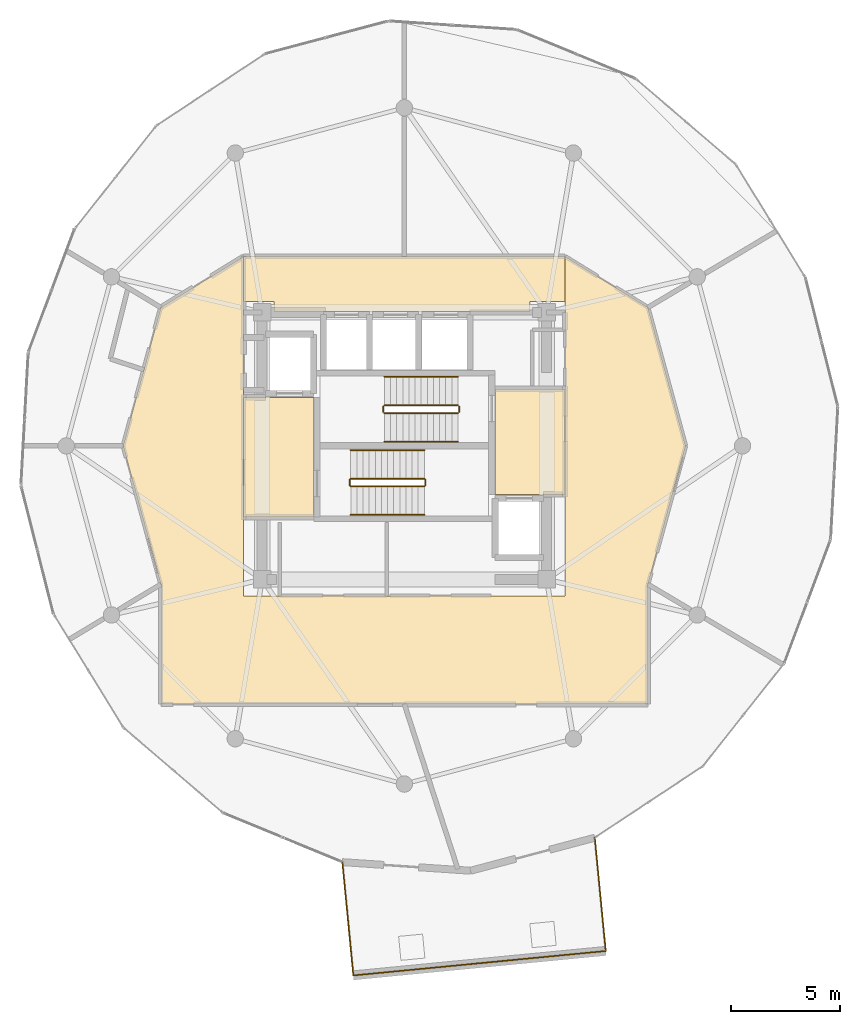
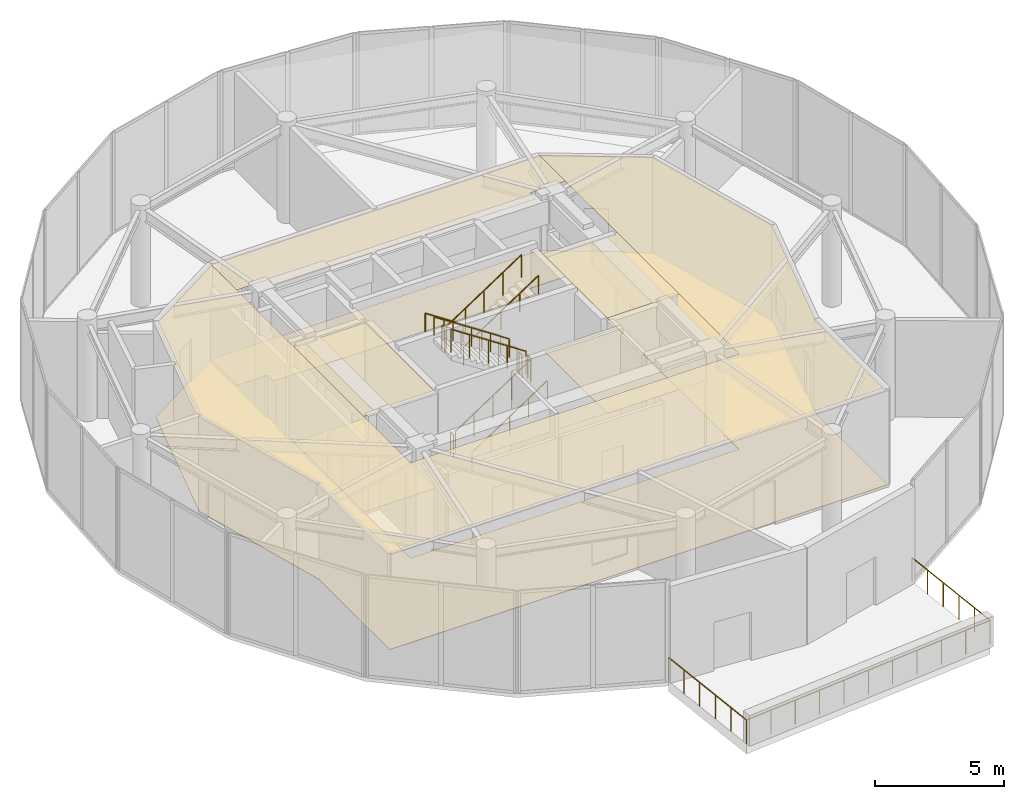
# One storey, part 20 of 21: 13 railings, 8 coverings.
"""IFC4 building model written with IfcOpenShell, lengths in metres."""

from ifc_helpers import new_model, si_unit, direction, frame, origin, origin_2d, place, context, subcontext, project, spatial, polyline, circle, outline, extrude, material, layer, layer_set, type_object, element, save


model = new_model("IFC4")

# Units and contexts
model_context = context("Model", 3, precision=1e-05, world=origin(), true_north=direction((0.0, 1.0)))
body_context = subcontext(model_context, "Body", "Model", "MODEL_VIEW")
ifc_project = project(units=[si_unit("LENGTHUNIT", "METRE"), si_unit("AREAUNIT", "SQUARE_METRE"), si_unit("VOLUMEUNIT", "CUBIC_METRE"), si_unit("PLANEANGLEUNIT", "RADIAN"), si_unit("MASSUNIT", "GRAM", prefix="KILO")], contexts=[model_context])

# Site, building, storey
site_placement = place(None, origin())
site = spatial("IfcSite", under=ifc_project, at=site_placement, CompositionType="ELEMENT")
building_placement = place(site_placement, origin())
building = spatial("IfcBuilding", under=site, at=building_placement, Name="Solvirekh Grand Hotel", CompositionType="ELEMENT")
storey_placement = place(building_placement, frame((0.0, 0.0, 262.0)))
storey = spatial("IfcBuildingStorey", under=building, at=storey_placement, Name="L68", CompositionType="ELEMENT", Elevation=262.0)

# Coverings
ifc_material_1 = material(Name="Acoustic Mineral Ceiling Tile")
ifc_layer_1 = layer(ifc_material_1, 0.02490234375)
ifc_layer_set_1 = layer_set([ifc_layer_1], Name="Acoustic Mineral Ceiling Tile")
covering_type_1 = type_object("IfcCoveringType", Name="Cov_Ceiling_Acoustic", PredefinedType="CEILING", material=ifc_layer_set_1)
covering_1_placement = place(storey_placement, frame((0.0, 0.0, 4.52001953125)))
element("IfcCovering", 1, at=covering_1_placement, inside=storey, type_object=covering_type_1, Name="L68 Firefighting Lobby West acoustic ceiling", PredefinedType="CEILING", context=body_context, shape_type="SweptSolid", body=[
    extrude(outline(polyline([(-7.35009765625, -3.25), (-4.1298828125, -3.25), (-4.1298828125, 2.2099609375), (-7.35009765625, 2.2099609375), (-7.35009765625, -3.25)])), origin(), (0.0, 0.0, 1.0), 0.01806640625),
])
covering_2_placement = place(storey_placement, frame((0.0, 0.0, 4.52001953125)))
element("IfcCovering", 2, at=covering_2_placement, inside=storey, type_object=covering_type_1, Name="L68 Firefighting Lobby East acoustic ceiling", PredefinedType="CEILING", context=body_context, shape_type="SweptSolid", body=[
    extrude(outline(polyline([(4.1298828125, -2.2099609375), (7.35009765625, -2.2099609375), (7.35009765625, 2.60009765625), (4.1298828125, 2.60009765625), (4.1298828125, -2.2099609375)])), origin(), (0.0, 0.0, 1.0), 0.01806640625),
])
covering_3_placement = place(storey_placement, frame((0.0, 0.0, 4.52001953125)))
element("IfcCovering", 3, at=covering_3_placement, inside=storey, type_object=covering_type_1, Name="L68 L68 High-Zone Passenger Lift Lobby acoustic ceiling", PredefinedType="CEILING", context=body_context, shape_type="SweptSolid", body=[
    extrude(outline(polyline([(-7.35009765625, 6.60009765625), (-5.949951171875, 6.60009765625), (-5.949951171875, 6.139892578125), (5.75, 6.139892578125), (5.75, 6.60009765625), (7.35009765625, 6.60009765625), (7.35009765625, 8.64990234375), (-7.35009765625, 8.64990234375), (-7.35009765625, 6.60009765625)])), origin(), (0.0, 0.0, 1.0), 0.01806640625),
])
covering_4_placement = place(storey_placement, frame((0.0, 0.0, 4.52001953125)))
element("IfcCovering", 4, at=covering_4_placement, inside=storey, type_object=covering_type_1, Name="L68 L68 Open Sky-Gallery Concourse acoustic ceiling", PredefinedType="CEILING", context=body_context, shape_type="SweptSolid", body=[
    extrude(outline(polyline([(-7.35009765625, -6.85009765625), (-7.35009765625, 8.64990234375), (-11.1279296875, 6.324951171875), (-12.85009765625, 0.0), (-11.1279296875, -6.324951171875), (-11.1279296875, -11.800048828125), (0.0, -11.800048828125), (11.1279296875, -11.800048828125), (11.1279296875, -6.324951171875), (12.85009765625, 0.0), (11.1279296875, 6.324951171875), (7.35009765625, 8.64990234375), (7.35009765625, -6.85009765625), (-7.35009765625, -6.85009765625)])), origin(), (0.0, 0.0, 1.0), 0.01806640625),
])
ifc_material_2 = material(Name="Porcelain Stoneware Flooring", Category="masonry")
ifc_layer_2 = layer(ifc_material_2, 0.030029296875)
ifc_layer_set_2 = layer_set([ifc_layer_2], Name="Porcelain Stoneware Flooring")
covering_type_2 = type_object("IfcCoveringType", Name="Cov_Floor_Stone", PredefinedType="FLOORING", material=ifc_layer_set_2)
covering_5_placement = place(storey_placement, origin())
element("IfcCovering", 5, at=covering_5_placement, inside=storey, type_object=covering_type_2, Name="L68 Firefighting Lobby West polished granite flooring", PredefinedType="FLOORING", context=body_context, shape_type="SweptSolid", body=[
    extrude(outline(polyline([(-7.35009765625, -3.25), (-4.1298828125, -3.25), (-4.1298828125, 2.2099609375), (-7.35009765625, 2.2099609375), (-7.35009765625, -3.25)])), origin(), (0.0, 0.0, 1.0), 0.02001953125),
])
covering_6_placement = place(storey_placement, origin())
element("IfcCovering", 6, at=covering_6_placement, inside=storey, type_object=covering_type_2, Name="L68 Firefighting Lobby East polished granite flooring", PredefinedType="FLOORING", context=body_context, shape_type="SweptSolid", body=[
    extrude(outline(polyline([(4.1298828125, -2.2099609375), (7.35009765625, -2.2099609375), (7.35009765625, 2.60009765625), (4.1298828125, 2.60009765625), (4.1298828125, -2.2099609375)])), origin(), (0.0, 0.0, 1.0), 0.02001953125),
])
covering_7_placement = place(storey_placement, origin())
element("IfcCovering", 7, at=covering_7_placement, inside=storey, type_object=covering_type_2, Name="L68 L68 High-Zone Passenger Lift Lobby polished granite flooring", PredefinedType="FLOORING", context=body_context, shape_type="SweptSolid", body=[
    extrude(outline(polyline([(-7.35009765625, 6.60009765625), (-5.949951171875, 6.60009765625), (-5.949951171875, 6.139892578125), (5.75, 6.139892578125), (5.75, 6.60009765625), (7.35009765625, 6.60009765625), (7.35009765625, 8.64990234375), (-7.35009765625, 8.64990234375), (-7.35009765625, 6.60009765625)])), origin(), (0.0, 0.0, 1.0), 0.02001953125),
])
covering_8_placement = place(storey_placement, origin())
element("IfcCovering", 8, at=covering_8_placement, inside=storey, type_object=covering_type_2, Name="L68 L68 Open Sky-Gallery Concourse polished granite flooring", PredefinedType="FLOORING", context=body_context, shape_type="SweptSolid", body=[
    extrude(outline(polyline([(-7.35009765625, -6.85009765625), (-7.35009765625, 8.64990234375), (-11.1279296875, 6.324951171875), (-12.85009765625, 0.0), (-11.1279296875, -6.324951171875), (-11.1279296875, -11.800048828125), (0.0, -11.800048828125), (11.1279296875, -11.800048828125), (11.1279296875, -6.324951171875), (12.85009765625, 0.0), (11.1279296875, 6.324951171875), (7.35009765625, 8.64990234375), (7.35009765625, -6.85009765625), (-7.35009765625, -6.85009765625)])), origin(), (0.0, 0.0, 1.0), 0.02001953125),
])

# Railings
ifc_material_3 = material(Name="Anodized Bronze Aluminium 6063-T6", Category="aluminium")
railing_type_1 = type_object("IfcRailingType", Name="Guard_ExtGlass_1150", PredefinedType="BALUSTRADE", material=ifc_material_3)
railing_1_placement = place(storey_placement, frame((-2.8330078125, -19.01708984375, 0.0)))
element("IfcRailing", 9, at=railing_1_placement, inside=storey, type_object=railing_type_1, Name="L68 cantilevered sky-pool perimeter safety balustrade", PredefinedType="BALUSTRADE", context=body_context, shape_type="SweptSolid", body=[
    extrude(circle(Radius=0.02392578125, at=origin_2d()), frame((0.0, 0.0, 1.1259765625), z_axis=(0.096151643573, -0.995366696971, 0.0), x_axis=(0.995366696971, 0.096151643573, 0.0)), (0.0, 0.0, 1.0), 5.2001953125),
    extrude(circle(Radius=0.02392578125, at=origin_2d()), frame((0.5, -5.176025390625, 1.1259765625), z_axis=(0.995357894767, 0.096242720896, 0.0), x_axis=(-0.096242720896, 0.995357894767, 0.0)), (0.0, 0.0, 1.0), 11.587646484375),
    extrude(circle(Radius=0.02392578125, at=origin_2d()), frame((12.033935546875, -4.060791015625, 1.1259765625), z_axis=(-0.096156137094, 0.99536626289, 0.0), x_axis=(-0.99536626289, -0.096156137094, 0.0)), (0.0, 0.0, 1.0), 5.199951171875),
    extrude(circle(Radius=0.02099609375, at=origin_2d()), origin(), (0.0, 0.0, 1.0), 1.101806640625),
    extrude(circle(Radius=0.02099609375, at=origin_2d()), frame((0.10009765625, -1.03515625, 0.0)), (0.0, 0.0, 1.0), 1.101806640625),
    extrude(circle(Radius=0.02099609375, at=origin_2d()), frame((0.199951171875, -2.0703125, 0.0)), (0.0, 0.0, 1.0), 1.101806640625),
    extrude(circle(Radius=0.02099609375, at=origin_2d()), frame((0.300048828125, -3.105712890625, 0.0)), (0.0, 0.0, 1.0), 1.101806640625),
    extrude(circle(Radius=0.02099609375, at=origin_2d()), frame((0.39990234375, -4.140869140625, 0.0)), (0.0, 0.0, 1.0), 1.101806640625),
    extrude(circle(Radius=0.02099609375, at=origin_2d()), frame((0.5, -5.176025390625, 0.0)), (0.0, 0.0, 1.0), 1.101806640625),
    extrude(circle(Radius=0.02099609375, at=origin_2d()), frame((1.6533203125, -5.064453125, 0.0)), (0.0, 0.0, 1.0), 1.101806640625),
    extrude(circle(Radius=0.02099609375, at=origin_2d()), frame((2.806884765625, -4.952880859375, 0.0)), (0.0, 0.0, 1.0), 1.101806640625),
    extrude(circle(Radius=0.02099609375, at=origin_2d()), frame((3.960205078125, -4.841552734375, 0.0)), (0.0, 0.0, 1.0), 1.101806640625),
    extrude(circle(Radius=0.02099609375, at=origin_2d()), frame((5.113525390625, -4.72998046875, 0.0)), (0.0, 0.0, 1.0), 1.101806640625),
    extrude(circle(Radius=0.02099609375, at=origin_2d()), frame((6.26708984375, -4.618408203125, 0.0)), (0.0, 0.0, 1.0), 1.101806640625),
    extrude(circle(Radius=0.02099609375, at=origin_2d()), frame((7.42041015625, -4.5068359375, 0.0)), (0.0, 0.0, 1.0), 1.101806640625),
    extrude(circle(Radius=0.02099609375, at=origin_2d()), frame((8.57373046875, -4.395263671875, 0.0)), (0.0, 0.0, 1.0), 1.101806640625),
    extrude(circle(Radius=0.02099609375, at=origin_2d()), frame((9.72705078125, -4.283935546875, 0.0)), (0.0, 0.0, 1.0), 1.101806640625),
    extrude(circle(Radius=0.02099609375, at=origin_2d()), frame((10.880615234375, -4.17236328125, 0.0)), (0.0, 0.0, 1.0), 1.101806640625),
    extrude(circle(Radius=0.02099609375, at=origin_2d()), frame((12.033935546875, -4.060791015625, 0.0)), (0.0, 0.0, 1.0), 1.101806640625),
    extrude(circle(Radius=0.02099609375, at=origin_2d()), frame((11.933837890625, -3.025634765625, 0.0)), (0.0, 0.0, 1.0), 1.101806640625),
    extrude(circle(Radius=0.02099609375, at=origin_2d()), frame((11.833984375, -1.990478515625, 0.0)), (0.0, 0.0, 1.0), 1.101806640625),
    extrude(circle(Radius=0.02099609375, at=origin_2d()), frame((11.73388671875, -0.955322265625, 0.0)), (0.0, 0.0, 1.0), 1.101806640625),
    extrude(circle(Radius=0.02099609375, at=origin_2d()), frame((11.634033203125, 0.079833984375, 0.0)), (0.0, 0.0, 1.0), 1.101806640625),
    extrude(circle(Radius=0.02099609375, at=origin_2d()), frame((11.533935546875, 1.114990234375, 0.0)), (0.0, 0.0, 1.0), 1.101806640625),
])
ifc_material_4 = material(Name="Steel S355", Category="steel")
railing_type_2 = type_object("IfcRailingType", Name="Guard_Stair_1100", PredefinedType="GUARDRAIL", material=ifc_material_4)
railing_2_placement = place(storey_placement, frame((-2.449951171875, -1.85009765625, 0.1845703125)))
element("IfcRailing", 10, at=railing_2_placement, inside=storey, type_object=railing_type_2, Name="L68 ST-1 stair guard 1", PredefinedType="GUARDRAIL", context=body_context, shape_type="SweptSolid", body=[
    extrude(circle(Radius=0.02392578125, at=origin_2d()), frame((0.0, 0.0, 1.076171875), z_axis=(0.834858096282, 0.0, 0.550465220583), x_axis=(0.0, 1.0, 0.0)), (0.0, 0.0, 1.0), 4.0244140625),
    extrude(circle(Radius=0.02099609375, at=origin_2d()), origin(), (0.0, 0.0, 1.0), 1.052001953125),
    extrude(circle(Radius=0.02099609375, at=origin_2d()), frame((0.83984375, 0.0, 0.5537109375)), (0.0, 0.0, 1.0), 1.052001953125),
    extrude(circle(Radius=0.02099609375, at=origin_2d()), frame((1.679931640625, 0.0, 1.107666015625)), (0.0, 0.0, 1.0), 1.052001953125),
    extrude(circle(Radius=0.02099609375, at=origin_2d()), frame((2.52001953125, 0.0, 1.66162109375)), (0.0, 0.0, 1.0), 1.052001953125),
    extrude(circle(Radius=0.02099609375, at=origin_2d()), frame((3.35986328125, 0.0, 2.21533203125)), (0.0, 0.0, 1.0), 1.052001953125),
])
railing_3_placement = place(storey_placement, frame((0.9599609375, -1.800048828125, 2.39990234375)))
element("IfcRailing", 11, at=railing_3_placement, inside=storey, type_object=railing_type_2, Name="L68 ST-1 stair guard 2", PredefinedType="GUARDRAIL", context=body_context, shape_type="SweptSolid", body=[
    extrude(circle(Radius=0.02392578125, at=origin_2d()), frame((0.0, 0.0, 1.076171875), z_axis=(0.0, 1.0, 0.0), x_axis=(-1.0, 0.0, 0.0)), (0.0, 0.0, 1.0), 0.25),
    extrude(circle(Radius=0.02099609375, at=origin_2d()), origin(), (0.0, 0.0, 1.0), 1.052001953125),
    extrude(circle(Radius=0.02099609375, at=origin_2d()), frame((0.0, 0.25, 0.0)), (0.0, 0.0, 1.0), 1.052001953125),
])
railing_4_placement = place(storey_placement, frame((0.909912109375, -1.5, 2.584716796875)))
element("IfcRailing", 12, at=railing_4_placement, inside=storey, type_object=railing_type_2, Name="L68 ST-1 stair guard 3", PredefinedType="GUARDRAIL", context=body_context, shape_type="SweptSolid", body=[
    extrude(circle(Radius=0.02392578125, at=origin_2d()), frame((0.0, 0.0, 1.076171875), z_axis=(-0.834858096282, 0.0, 0.550465220583), x_axis=(0.0, -1.0, 0.0)), (0.0, 0.0, 1.0), 4.0244140625),
    extrude(circle(Radius=0.02099609375, at=origin_2d()), origin(), (0.0, 0.0, 1.0), 1.052001953125),
    extrude(circle(Radius=0.02099609375, at=origin_2d()), frame((-0.83984375, 0.0, 0.5537109375)), (0.0, 0.0, 1.0), 1.052001953125),
    extrude(circle(Radius=0.02099609375, at=origin_2d()), frame((-1.679931640625, 0.0, 1.107666015625)), (0.0, 0.0, 1.0), 1.052001953125),
    extrude(circle(Radius=0.02099609375, at=origin_2d()), frame((-2.52001953125, 0.0, 1.66162109375)), (0.0, 0.0, 1.0), 1.052001953125),
    extrude(circle(Radius=0.02099609375, at=origin_2d()), frame((-3.35986328125, 0.0, 2.21533203125)), (0.0, 0.0, 1.0), 1.052001953125),
])
railing_5_placement = place(storey_placement, frame((-2.5, -1.800048828125, 0.0)))
element("IfcRailing", 13, at=railing_5_placement, inside=storey, type_object=railing_type_2, Name="L68 ST-1 stair guard 4", PredefinedType="GUARDRAIL", context=body_context, shape_type="SweptSolid", body=[
    extrude(circle(Radius=0.02392578125, at=origin_2d()), frame((0.0, 0.0, 1.076171875), z_axis=(0.0, 1.0, 0.0), x_axis=(-1.0, 0.0, 0.0)), (0.0, 0.0, 1.0), 0.25),
    extrude(circle(Radius=0.02099609375, at=origin_2d()), origin(), (0.0, 0.0, 1.0), 1.052001953125),
    extrude(circle(Radius=0.02099609375, at=origin_2d()), frame((0.0, 0.25, 0.0)), (0.0, 0.0, 1.0), 1.052001953125),
])
railing_6_placement = place(storey_placement, frame((2.449951171875, 1.85009765625, 0.1845703125)))
element("IfcRailing", 14, at=railing_6_placement, inside=storey, type_object=railing_type_2, Name="L68 ST-2 stair guard 1", PredefinedType="GUARDRAIL", context=body_context, shape_type="SweptSolid", body=[
    extrude(circle(Radius=0.02392578125, at=origin_2d()), frame((0.0, 0.0, 1.076171875), z_axis=(-0.834858096282, 0.0, 0.550465220583), x_axis=(0.0, -1.0, 0.0)), (0.0, 0.0, 1.0), 4.0244140625),
    extrude(circle(Radius=0.02099609375, at=origin_2d()), origin(), (0.0, 0.0, 1.0), 1.052001953125),
    extrude(circle(Radius=0.02099609375, at=origin_2d()), frame((-0.83984375, 0.0, 0.5537109375)), (0.0, 0.0, 1.0), 1.052001953125),
    extrude(circle(Radius=0.02099609375, at=origin_2d()), frame((-1.679931640625, 0.0, 1.107666015625)), (0.0, 0.0, 1.0), 1.052001953125),
    extrude(circle(Radius=0.02099609375, at=origin_2d()), frame((-2.52001953125, 0.0, 1.66162109375)), (0.0, 0.0, 1.0), 1.052001953125),
    extrude(circle(Radius=0.02099609375, at=origin_2d()), frame((-3.35986328125, 0.0, 2.21533203125)), (0.0, 0.0, 1.0), 1.052001953125),
])
railing_7_placement = place(storey_placement, frame((-0.9599609375, 1.800048828125, 2.39990234375)))
element("IfcRailing", 15, at=railing_7_placement, inside=storey, type_object=railing_type_2, Name="L68 ST-2 stair guard 2", PredefinedType="GUARDRAIL", context=body_context, shape_type="SweptSolid", body=[
    extrude(circle(Radius=0.02392578125, at=origin_2d()), frame((0.0, 0.0, 1.076171875), z_axis=(0.0, -1.0, 0.0), x_axis=(1.0, 0.0, 0.0)), (0.0, 0.0, 1.0), 0.25),
    extrude(circle(Radius=0.02099609375, at=origin_2d()), origin(), (0.0, 0.0, 1.0), 1.052001953125),
    extrude(circle(Radius=0.02099609375, at=origin_2d()), frame((0.0, -0.25, 0.0)), (0.0, 0.0, 1.0), 1.052001953125),
])
railing_8_placement = place(storey_placement, frame((-0.909912109375, 1.5, 2.584716796875)))
element("IfcRailing", 16, at=railing_8_placement, inside=storey, type_object=railing_type_2, Name="L68 ST-2 stair guard 3", PredefinedType="GUARDRAIL", context=body_context, shape_type="SweptSolid", body=[
    extrude(circle(Radius=0.02392578125, at=origin_2d()), frame((0.0, 0.0, 1.076171875), z_axis=(0.834858096282, 0.0, 0.550465220583), x_axis=(0.0, 1.0, 0.0)), (0.0, 0.0, 1.0), 4.0244140625),
    extrude(circle(Radius=0.02099609375, at=origin_2d()), origin(), (0.0, 0.0, 1.0), 1.052001953125),
    extrude(circle(Radius=0.02099609375, at=origin_2d()), frame((0.83984375, 0.0, 0.5537109375)), (0.0, 0.0, 1.0), 1.052001953125),
    extrude(circle(Radius=0.02099609375, at=origin_2d()), frame((1.679931640625, 0.0, 1.107666015625)), (0.0, 0.0, 1.0), 1.052001953125),
    extrude(circle(Radius=0.02099609375, at=origin_2d()), frame((2.52001953125, 0.0, 1.66162109375)), (0.0, 0.0, 1.0), 1.052001953125),
    extrude(circle(Radius=0.02099609375, at=origin_2d()), frame((3.35986328125, 0.0, 2.21533203125)), (0.0, 0.0, 1.0), 1.052001953125),
])
railing_9_placement = place(storey_placement, frame((2.5, 1.800048828125, 0.0)))
element("IfcRailing", 17, at=railing_9_placement, inside=storey, type_object=railing_type_2, Name="L68 ST-2 stair guard 4", PredefinedType="GUARDRAIL", context=body_context, shape_type="SweptSolid", body=[
    extrude(circle(Radius=0.02392578125, at=origin_2d()), frame((0.0, 0.0, 1.076171875), z_axis=(0.0, -1.0, 0.0), x_axis=(1.0, 0.0, 0.0)), (0.0, 0.0, 1.0), 0.25),
    extrude(circle(Radius=0.02099609375, at=origin_2d()), origin(), (0.0, 0.0, 1.0), 1.052001953125),
    extrude(circle(Radius=0.02099609375, at=origin_2d()), frame((0.0, -0.25, 0.0)), (0.0, 0.0, 1.0), 1.052001953125),
])
railing_type_3 = type_object("IfcRailingType", Name="Handrail_Wall_900", PredefinedType="HANDRAIL", material=ifc_material_3)
railing_10_placement = place(storey_placement, frame((-2.449951171875, -3.14990234375, 0.1845703125)))
element("IfcRailing", 18, at=railing_10_placement, inside=storey, type_object=railing_type_3, Name="L68 ST-1 stair handrail 1", PredefinedType="HANDRAIL", context=body_context, shape_type="SweptSolid", body=[
    extrude(circle(Radius=0.02392578125, at=origin_2d()), frame((0.0, 0.0, 0.8759765625), z_axis=(0.834858096282, 0.0, 0.550465220583), x_axis=(0.0, 1.0, 0.0)), (0.0, 0.0, 1.0), 4.0244140625),
    extrude(circle(Radius=0.02099609375, at=origin_2d()), origin(), (0.0, 0.0, 1.0), 0.851806640625),
    extrude(circle(Radius=0.02099609375, at=origin_2d()), frame((0.83984375, 0.0, 0.5537109375)), (0.0, 0.0, 1.0), 0.851806640625),
    extrude(circle(Radius=0.02099609375, at=origin_2d()), frame((1.679931640625, 0.0, 1.107666015625)), (0.0, 0.0, 1.0), 0.851806640625),
    extrude(circle(Radius=0.02099609375, at=origin_2d()), frame((2.52001953125, 0.0, 1.66162109375)), (0.0, 0.0, 1.0), 0.851806640625),
    extrude(circle(Radius=0.02099609375, at=origin_2d()), frame((3.35986328125, 0.0, 2.21533203125)), (0.0, 0.0, 1.0), 0.851806640625),
])
for number, where, name in (
    (19, (0.909912109375, -0.199951171875, 2.584716796875), "L68 ST-1 stair handrail 2"),
    (20, (2.449951171875, 3.14990234375, 0.1845703125), "L68 ST-2 stair handrail 1"),
):
    element("IfcRailing", number, at=place(storey_placement, frame(where)), inside=storey, type_object=railing_type_3, Name=name, PredefinedType="HANDRAIL", context=body_context, shape_type="SweptSolid", body=[
        extrude(circle(Radius=0.02392578125, at=origin_2d()), frame((0.0, 0.0, 0.8759765625), z_axis=(-0.834858096282, 0.0, 0.550465220583), x_axis=(0.0, -1.0, 0.0)), (0.0, 0.0, 1.0), 4.0244140625),
        extrude(circle(Radius=0.02099609375, at=origin_2d()), origin(), (0.0, 0.0, 1.0), 0.851806640625),
        extrude(circle(Radius=0.02099609375, at=origin_2d()), frame((-0.83984375, 0.0, 0.5537109375)), (0.0, 0.0, 1.0), 0.851806640625),
        extrude(circle(Radius=0.02099609375, at=origin_2d()), frame((-1.679931640625, 0.0, 1.107666015625)), (0.0, 0.0, 1.0), 0.851806640625),
        extrude(circle(Radius=0.02099609375, at=origin_2d()), frame((-2.52001953125, 0.0, 1.66162109375)), (0.0, 0.0, 1.0), 0.851806640625),
        extrude(circle(Radius=0.02099609375, at=origin_2d()), frame((-3.35986328125, 0.0, 2.21533203125)), (0.0, 0.0, 1.0), 0.851806640625),
    ])
railing_11_placement = place(storey_placement, frame((-0.909912109375, 0.199951171875, 2.584716796875)))
element("IfcRailing", 21, at=railing_11_placement, inside=storey, type_object=railing_type_3, Name="L68 ST-2 stair handrail 2", PredefinedType="HANDRAIL", context=body_context, shape_type="SweptSolid", body=[
    extrude(circle(Radius=0.02392578125, at=origin_2d()), frame((0.0, 0.0, 0.8759765625), z_axis=(0.834858096282, 0.0, 0.550465220583), x_axis=(0.0, 1.0, 0.0)), (0.0, 0.0, 1.0), 4.0244140625),
    extrude(circle(Radius=0.02099609375, at=origin_2d()), origin(), (0.0, 0.0, 1.0), 0.851806640625),
    extrude(circle(Radius=0.02099609375, at=origin_2d()), frame((0.83984375, 0.0, 0.5537109375)), (0.0, 0.0, 1.0), 0.851806640625),
    extrude(circle(Radius=0.02099609375, at=origin_2d()), frame((1.679931640625, 0.0, 1.107666015625)), (0.0, 0.0, 1.0), 0.851806640625),
    extrude(circle(Radius=0.02099609375, at=origin_2d()), frame((2.52001953125, 0.0, 1.66162109375)), (0.0, 0.0, 1.0), 0.851806640625),
    extrude(circle(Radius=0.02099609375, at=origin_2d()), frame((3.35986328125, 0.0, 2.21533203125)), (0.0, 0.0, 1.0), 0.851806640625),
])

save(model, "model.ifc")
